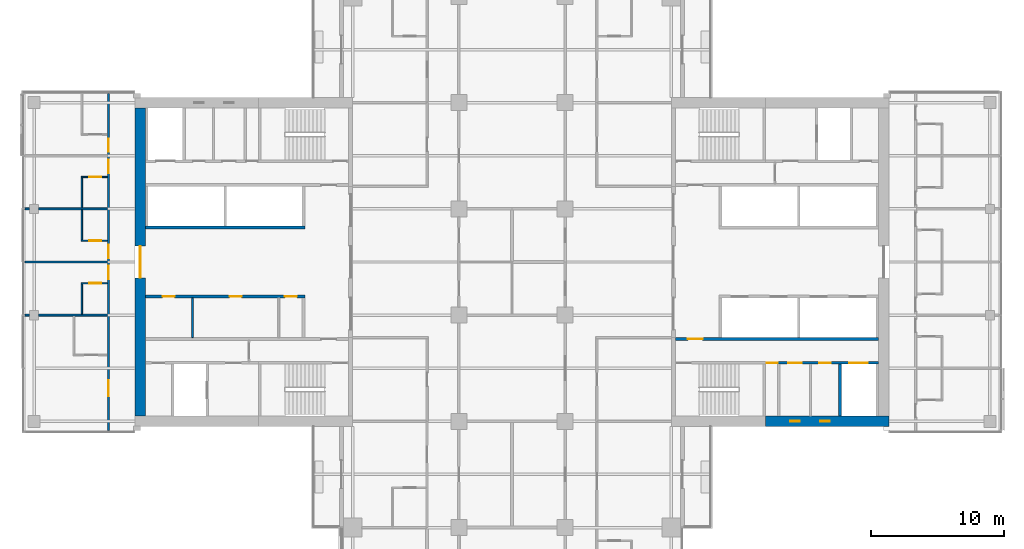
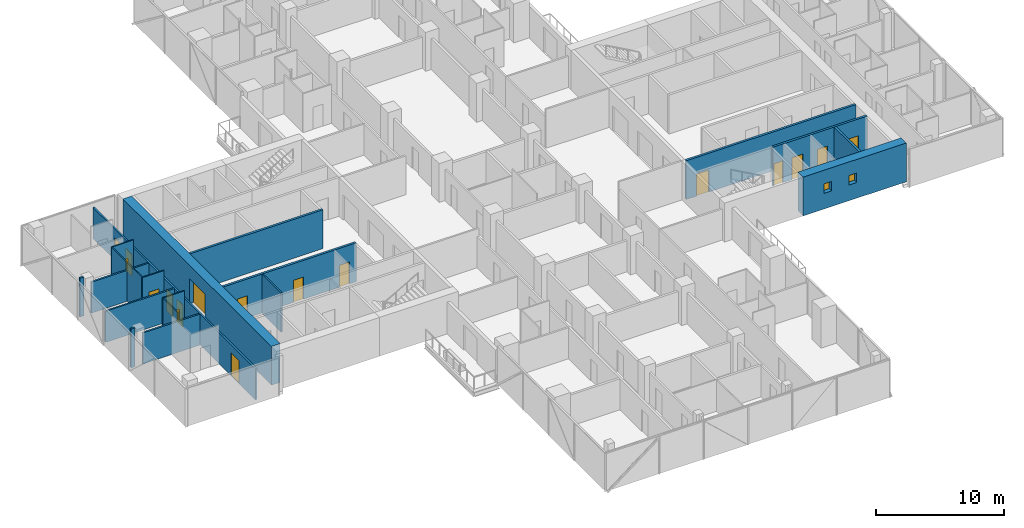
# One storey, part 17 of 27: 20 walls, 17 doors, 2 windows, 19 openings.
"""IFC4 building model written with IfcOpenShell, lengths in metres."""

from ifc_helpers import new_model, si_unit, direction, frame, frame_2d, origin, place, context, subcontext, project, spatial, rectangle, extrude, material, layer, layer_set, constituent, constituent_set, type_object, element, fill, save


model = new_model("IFC4")

# Units and contexts
model_context = context("Model", 3, precision=1e-05, world=origin(), true_north=direction((0.0, 1.0)))
body_context = subcontext(model_context, "Body", "Model", "MODEL_VIEW")
ifc_project = project(units=[si_unit("LENGTHUNIT", "METRE"), si_unit("AREAUNIT", "SQUARE_METRE"), si_unit("VOLUMEUNIT", "CUBIC_METRE"), si_unit("PLANEANGLEUNIT", "RADIAN"), si_unit("MASSUNIT", "GRAM", prefix="KILO")], contexts=[model_context])

# Site, building, storey
site_placement = place(None, origin())
site = spatial("IfcSite", under=ifc_project, at=site_placement, CompositionType="ELEMENT")
building_placement = place(site_placement, origin())
building = spatial("IfcBuilding", under=site, at=building_placement, Name="Crosswind Convention Tower", CompositionType="ELEMENT")
storey_placement = place(building_placement, frame((0.0, 0.0, 94.199951171875)))
storey = spatial("IfcBuildingStorey", under=building, at=storey_placement, Name="L18", CompositionType="ELEMENT", Elevation=94.199951171875)

# Wall, opening, door
ifc_material_1 = material(Name="Concrete C60/75", Category="concrete")
ifc_layer_1 = layer(ifc_material_1, 0.800048828125)
ifc_layer_set_1 = layer_set([ifc_layer_1], Name="Concrete C60/75")
wall_type_1 = type_object("IfcWallType", Name="Concrete core wall 800", PredefinedType="SHEAR", material=ifc_layer_set_1)
wall_1_placement = place(storey_placement, frame((97.0, 111.60009765625, 0.0), z_axis=(0.0, 0.0, 1.0), x_axis=(0.0, -1.0, 0.0)))
wall_1 = element("IfcWall", 1, at=wall_1_placement, inside=storey, type_object=wall_type_1, Name="Wall O W L18", PredefinedType="SHEAR", context=body_context, shape_type="SweptSolid", body=[
    extrude(rectangle(XDim=23.2001953125, YDim=0.800048828125, at=frame_2d((11.60009765625, 0.0))), origin(), (0.0, 0.0, 1.0), 3.699951171875),
])
opening_1_placement = place(wall_1_placement, frame((10.39990234375, 0.0, 0.0)))
opening_1 = element("IfcOpeningElement", 2, at=opening_1_placement, cuts=wall_1, Name="Opening D100", PredefinedType="OPENING", context=body_context, shape_type="SweptSolid", body=[
    extrude(rectangle(XDim=2.39990234375, YDim=2.39990234375, at=frame_2d((1.199951171875, 1.199951171875))), frame((0.0, 0.409912109375, 0.0), z_axis=(0.0, -1.0, 0.0), x_axis=(1.0, 0.0, 0.0)), (0.0, 0.0, 1.0), 0.820068359375),
])
ifc_material_2 = material(Name="Steel fire door with glazed vision panels", Category="steel")
door_type_1 = type_object("IfcDoorType", Name="Fire-rated double door 2400x2400", OperationType="DOUBLE_DOOR_SINGLE_SWING", PredefinedType="DOOR", material=ifc_material_2)
door_1_placement = place(opening_1_placement, origin())
door_1 = element("IfcDoor", 3, at=door_1_placement, inside=storey, type_object=door_type_1, Name="Lobby outer door L18", ObjectType="D100", OperationType="DOUBLE_DOOR_SINGLE_SWING", OverallHeight=2.39990234375, OverallWidth=2.39990234375, PredefinedType="DOOR", context=body_context, shape_type="SweptSolid", body=[
    extrude(rectangle(XDim=2.39990234375, YDim=2.39990234375, at=frame_2d((1.199951171875, 1.199951171875))), frame((0.0, 0.02490234375, 0.0), z_axis=(0.0, -1.0, 0.0), x_axis=(1.0, 0.0, 0.0)), (0.0, 0.0, 1.0), 0.050048828125),
])
fill(opening_1, door_1)

ifc_material_3 = material(Name="Concrete C50/60", Category="concrete")
ifc_layer_2 = layer(ifc_material_3, 0.199951171875)
ifc_layer_set_2 = layer_set([ifc_layer_2], Name="Concrete C50/60")
wall_type_2 = type_object("IfcWallType", Name="Concrete shaft and stair wall 200", PredefinedType="SHEAR", material=ifc_layer_set_2)
wall_2_placement = place(storey_placement, frame((137.300048828125, 94.199951171875, 0.0), z_axis=(0.0, 0.0, 1.0), x_axis=(1.0, 0.0, 0.0)))
wall_2 = element("IfcWall", 4, at=wall_2_placement, inside=storey, type_object=wall_type_2, Name="Wall HM E L18", PredefinedType="SHEAR", context=body_context, shape_type="SweptSolid", body=[
    extrude(rectangle(XDim=15.300048828125, YDim=0.199951171875, at=frame_2d((7.64990234375, 0.0))), origin(), (0.0, 0.0, 1.0), 3.699951171875),
])
opening_2_placement = place(wall_2_placement, frame((0.949951171875, 0.0, 0.0)))
opening_2 = element("IfcOpeningElement", 5, at=opening_2_placement, cuts=wall_2, Name="Opening D104", PredefinedType="OPENING", context=body_context, shape_type="SweptSolid", body=[
    extrude(rectangle(XDim=1.10009765625, YDim=2.10009765625, at=frame_2d((0.550048828125, 1.050048828125))), frame((0.0, 0.10986328125, 0.0), z_axis=(0.0, -1.0, 0.0), x_axis=(1.0, 0.0, 0.0)), (0.0, 0.0, 1.0), 0.219970703125),
])
ifc_material_4 = material(Name="Steel fire door", Category="steel")
door_type_2 = type_object("IfcDoorType", Name="Fire-rated single door 1100x2100", OperationType="NOTDEFINED", PredefinedType="DOOR", material=ifc_material_4)
door_2_placement = place(opening_2_placement, origin())
door_2 = element("IfcDoor", 6, at=door_2_placement, inside=storey, type_object=door_type_2, Name="Corridor door L18", ObjectType="D104", OperationType="SINGLE_SWING_LEFT", OverallHeight=2.10009765625, OverallWidth=1.10009765625, PredefinedType="DOOR", context=body_context, shape_type="SweptSolid", body=[
    extrude(rectangle(XDim=1.10009765625, YDim=2.10009765625, at=frame_2d((0.550048828125, 1.050048828125))), frame((0.0, 0.02490234375, 0.0), z_axis=(0.0, -1.0, 0.0), x_axis=(1.0, 0.0, 0.0)), (0.0, 0.0, 1.0), 0.050048828125),
])
fill(opening_2, door_2)

# Wall
wall_3_placement = place(storey_placement, frame((149.699951171875, 88.39990234375, 0.0), z_axis=(0.0, 0.0, 1.0), x_axis=(0.0, 1.0, 0.0)))
element("IfcWall", 7, at=wall_3_placement, inside=storey, type_object=wall_type_2, Name="Wall MFSW E L18", PredefinedType="SHEAR", context=body_context, shape_type="SweptSolid", body=[
    extrude(rectangle(XDim=3.900146484375, YDim=0.199951171875, at=frame_2d((1.9501953125, 0.0))), origin(), (0.0, 0.0, 1.0), 3.699951171875),
])

# Wall, openings, doors
wall_4_placement = place(storey_placement, frame((144.10009765625, 92.39990234375, 0.0), z_axis=(0.0, 0.0, 1.0), x_axis=(1.0, 0.0, 0.0)))
wall_4 = element("IfcWall", 8, at=wall_4_placement, inside=storey, type_object=wall_type_2, Name="Wall MCX E L18", PredefinedType="SHEAR", context=body_context, shape_type="SweptSolid", body=[
    extrude(rectangle(XDim=8.5, YDim=0.199951171875, at=frame_2d((4.25, 0.0))), origin(), (0.0, 0.0, 1.0), 3.699951171875),
])
opening_3_placement = place(wall_4_placement, frame((0.10009765625, 0.0, 0.0)))
opening_3 = element("IfcOpeningElement", 9, at=opening_3_placement, cuts=wall_4, Name="Opening D105", PredefinedType="OPENING", context=body_context, shape_type="SweptSolid", body=[
    extrude(rectangle(XDim=0.800048828125, YDim=2.10009765625, at=frame_2d((0.39990234375, 1.050048828125))), frame((0.0, 0.10986328125, 0.0), z_axis=(0.0, -1.0, 0.0), x_axis=(1.0, 0.0, 0.0)), (0.0, 0.0, 1.0), 0.219970703125),
])
opening_4_placement = place(wall_4_placement, frame((1.712646484375, 0.0, 0.0)))
opening_4 = element("IfcOpeningElement", 10, at=opening_4_placement, cuts=wall_4, Name="Opening D103", PredefinedType="OPENING", context=body_context, shape_type="SweptSolid", body=[
    extrude(rectangle(XDim=1.0, YDim=2.10009765625, at=frame_2d((0.5, 1.050048828125))), frame((0.0, 0.10986328125, 0.0), z_axis=(0.0, -1.0, 0.0), x_axis=(1.0, 0.0, 0.0)), (0.0, 0.0, 1.0), 0.219970703125),
])
opening_5_placement = place(wall_4_placement, frame((4.025146484375, 0.0, 0.0)))
opening_5 = element("IfcOpeningElement", 11, at=opening_5_placement, cuts=wall_4, Name="Opening D106", PredefinedType="OPENING", context=body_context, shape_type="SweptSolid", body=[
    extrude(rectangle(XDim=0.89990234375, YDim=2.10009765625, at=frame_2d((0.449951171875, 1.050048828125))), frame((0.0, 0.10986328125, 0.0), z_axis=(0.0, -1.0, 0.0), x_axis=(1.0, 0.0, 0.0)), (0.0, 0.0, 1.0), 0.219970703125),
])
opening_6_placement = place(wall_4_placement, frame((6.300048828125, 0.0, 0.0)))
opening_6 = element("IfcOpeningElement", 12, at=opening_6_placement, cuts=wall_4, Name="Opening LD2", PredefinedType="OPENING", context=body_context, shape_type="SweptSolid", body=[
    extrude(rectangle(XDim=1.39990234375, YDim=2.10009765625, at=frame_2d((0.699951171875, 1.050048828125))), frame((0.0, 0.10986328125, 0.0), z_axis=(0.0, -1.0, 0.0), x_axis=(1.0, 0.0, 0.0)), (0.0, 0.0, 1.0), 0.219970703125),
])
door_type_3 = type_object("IfcDoorType", Name="Fire-rated single door 1000x2100", OperationType="NOTDEFINED", PredefinedType="DOOR", material=ifc_material_4)
door_3_placement = place(opening_4_placement, frame((1.0, 0.0, 0.0), z_axis=(0.0, 0.0, 1.0), x_axis=(-1.0, 0.0, 0.0)))
door_3 = element("IfcDoor", 13, at=door_3_placement, inside=storey, type_object=door_type_3, Name="Door to accessible wc L18", ObjectType="D103", OperationType="SINGLE_SWING_LEFT", OverallHeight=2.10009765625, OverallWidth=1.0, PredefinedType="DOOR", context=body_context, shape_type="SweptSolid", body=[
    extrude(rectangle(XDim=1.0, YDim=2.10009765625, at=frame_2d((0.5, 1.050048828125))), frame((0.0, 0.02490234375, 0.0), z_axis=(0.0, -1.0, 0.0), x_axis=(1.0, 0.0, 0.0)), (0.0, 0.0, 1.0), 0.050048828125),
])
fill(opening_4, door_3)
ifc_material_5 = material(Name="Stainless steel", Category="steel")
door_type_4 = type_object("IfcDoorType", Name="Lift landing door 1400x2100", OperationType="DOUBLE_DOOR_SLIDING", PredefinedType="DOOR", material=ifc_material_5)
door_4_placement = place(opening_6_placement, origin())
door_4 = element("IfcDoor", 14, at=door_4_placement, inside=storey, type_object=door_type_4, Name="Landing door SV1 L18", ObjectType="LD2", OperationType="DOUBLE_DOOR_SLIDING", OverallHeight=2.10009765625, OverallWidth=1.39990234375, PredefinedType="DOOR", context=body_context, shape_type="SweptSolid", body=[
    extrude(rectangle(XDim=1.39990234375, YDim=2.10009765625, at=frame_2d((0.699951171875, 1.050048828125))), frame((0.0, 0.02490234375, 0.0), z_axis=(0.0, -1.0, 0.0), x_axis=(1.0, 0.0, 0.0)), (0.0, 0.0, 1.0), 0.050048828125),
])
fill(opening_6, door_4)
door_type_5 = type_object("IfcDoorType", Name="Riser access door 800x2100", OperationType="NOTDEFINED", PredefinedType="DOOR", material=ifc_material_4)
door_5_placement = place(opening_3_placement, frame((0.800048828125, 0.0, 0.0), z_axis=(0.0, 0.0, 1.0), x_axis=(-1.0, 0.0, 0.0)))
door_5 = element("IfcDoor", 15, at=door_5_placement, inside=storey, type_object=door_type_5, Name="Riser door L18", ObjectType="D105", OperationType="SINGLE_SWING_LEFT", OverallHeight=2.10009765625, OverallWidth=0.800048828125, PredefinedType="DOOR", context=body_context, shape_type="SweptSolid", body=[
    extrude(rectangle(XDim=0.800048828125, YDim=2.10009765625, at=frame_2d((0.39990234375, 1.050048828125))), frame((0.0, 0.02490234375, 0.0), z_axis=(0.0, -1.0, 0.0), x_axis=(1.0, 0.0, 0.0)), (0.0, 0.0, 1.0), 0.050048828125),
])
fill(opening_3, door_5)
ifc_material_6 = material(Name="Timber door", Category="wood")
door_type_6 = type_object("IfcDoorType", Name="Single leaf door 900x2100", OperationType="NOTDEFINED", PredefinedType="DOOR", material=ifc_material_6)
door_6_placement = place(opening_5_placement, frame((0.89990234375, 0.0, 0.0), z_axis=(0.0, 0.0, 1.0), x_axis=(-1.0, 0.0, 0.0)))
door_6 = element("IfcDoor", 16, at=door_6_placement, inside=storey, type_object=door_type_6, Name="Door to wc L18", ObjectType="D106", OperationType="SINGLE_SWING_LEFT", OverallHeight=2.10009765625, OverallWidth=0.89990234375, PredefinedType="DOOR", context=body_context, shape_type="SweptSolid", body=[
    extrude(rectangle(XDim=0.89990234375, YDim=2.10009765625, at=frame_2d((0.449951171875, 1.050048828125))), frame((0.0, 0.02490234375, 0.0), z_axis=(0.0, -1.0, 0.0), x_axis=(1.0, 0.0, 0.0)), (0.0, 0.0, 1.0), 0.050048828125),
])
fill(opening_5, door_6)

wall_5_placement = place(storey_placement, frame((109.39990234375, 97.39990234375, 0.0), z_axis=(0.0, 0.0, 1.0), x_axis=(-1.0, 0.0, 0.0)))
wall_5 = element("IfcWall", 17, at=wall_5_placement, inside=storey, type_object=wall_type_2, Name="Wall RPFRONT W L18", PredefinedType="SHEAR", context=body_context, shape_type="SweptSolid", body=[
    extrude(rectangle(XDim=12.0, YDim=0.199951171875, at=frame_2d((6.0, 0.0))), origin(), (0.0, 0.0, 1.0), 3.699951171875),
])
opening_7_placement = place(wall_5_placement, frame((0.603759765625, 0.0, 0.0)))
opening_7 = element("IfcOpeningElement", 18, at=opening_7_placement, cuts=wall_5, Name="Opening D106", PredefinedType="OPENING", context=body_context, shape_type="SweptSolid", body=[
    extrude(rectangle(XDim=0.89990234375, YDim=2.10009765625, at=frame_2d((0.449951171875, 1.050048828125))), frame((0.0, 0.10986328125, 0.0), z_axis=(0.0, -1.0, 0.0), x_axis=(1.0, 0.0, 0.0)), (0.0, 0.0, 1.0), 0.219970703125),
])
opening_8_placement = place(wall_5_placement, frame((4.764892578125, 0.0, 0.0)))
opening_8 = element("IfcOpeningElement", 19, at=opening_8_placement, cuts=wall_5, Name="Opening D106", PredefinedType="OPENING", context=body_context, shape_type="SweptSolid", body=[
    extrude(rectangle(XDim=0.89990234375, YDim=2.10009765625, at=frame_2d((0.449951171875, 1.050048828125))), frame((0.0, 0.10986328125, 0.0), z_axis=(0.0, -1.0, 0.0), x_axis=(1.0, 0.0, 0.0)), (0.0, 0.0, 1.0), 0.219970703125),
])
opening_9_placement = place(wall_5_placement, frame((9.811279296875, 0.0, 0.0)))
opening_9 = element("IfcOpeningElement", 20, at=opening_9_placement, cuts=wall_5, Name="Opening D106", PredefinedType="OPENING", context=body_context, shape_type="SweptSolid", body=[
    extrude(rectangle(XDim=0.89990234375, YDim=2.10009765625, at=frame_2d((0.449951171875, 1.050048828125))), frame((0.0, 0.10986328125, 0.0), z_axis=(0.0, -1.0, 0.0), x_axis=(1.0, 0.0, 0.0)), (0.0, 0.0, 1.0), 0.219970703125),
])
door_7_placement = place(opening_7_placement, origin())
door_7 = element("IfcDoor", 21, at=door_7_placement, inside=storey, type_object=door_type_6, Name="Door to ice and vending room L18", ObjectType="D106", OperationType="SINGLE_SWING_RIGHT", OverallHeight=2.10009765625, OverallWidth=0.89990234375, PredefinedType="DOOR", context=body_context, shape_type="SweptSolid", body=[
    extrude(rectangle(XDim=0.89990234375, YDim=2.10009765625, at=frame_2d((0.449951171875, 1.050048828125))), frame((0.0, 0.02490234375, 0.0), z_axis=(0.0, -1.0, 0.0), x_axis=(1.0, 0.0, 0.0)), (0.0, 0.0, 1.0), 0.050048828125),
])
fill(opening_7, door_7)
door_8_placement = place(opening_8_placement, origin())
door_8 = element("IfcDoor", 22, at=door_8_placement, inside=storey, type_object=door_type_6, Name="Door to storeroom L18", ObjectType="D106", OperationType="SINGLE_SWING_RIGHT", OverallHeight=2.10009765625, OverallWidth=0.89990234375, PredefinedType="DOOR", context=body_context, shape_type="SweptSolid", body=[
    extrude(rectangle(XDim=0.89990234375, YDim=2.10009765625, at=frame_2d((0.449951171875, 1.050048828125))), frame((0.0, 0.02490234375, 0.0), z_axis=(0.0, -1.0, 0.0), x_axis=(1.0, 0.0, 0.0)), (0.0, 0.0, 1.0), 0.050048828125),
])
fill(opening_8, door_8)
door_9_placement = place(opening_9_placement, origin())
door_9 = element("IfcDoor", 23, at=door_9_placement, inside=storey, type_object=door_type_6, Name="Door to housekeeping store L18", ObjectType="D106", OperationType="SINGLE_SWING_RIGHT", OverallHeight=2.10009765625, OverallWidth=0.89990234375, PredefinedType="DOOR", context=body_context, shape_type="SweptSolid", body=[
    extrude(rectangle(XDim=0.89990234375, YDim=2.10009765625, at=frame_2d((0.449951171875, 1.050048828125))), frame((0.0, 0.02490234375, 0.0), z_axis=(0.0, -1.0, 0.0), x_axis=(1.0, 0.0, 0.0)), (0.0, 0.0, 1.0), 0.050048828125),
])
fill(opening_9, door_9)

# Walls
wall_6_placement = place(storey_placement, frame((109.39990234375, 102.60009765625, 0.0), z_axis=(0.0, 0.0, 1.0), x_axis=(-1.0, 0.0, 0.0)))
element("IfcWall", 24, at=wall_6_placement, inside=storey, type_object=wall_type_2, Name="Wall RMFRONT W L18", PredefinedType="SHEAR", context=body_context, shape_type="SweptSolid", body=[
    extrude(rectangle(XDim=12.0, YDim=0.199951171875, at=frame_2d((6.0, 0.0))), origin(), (0.0, 0.0, 1.0), 3.699951171875),
])
ifc_material_7 = material(Name="Gypsum plasterboard partition", Category="gypsum")
ifc_layer_3 = layer(ifc_material_7, 0.125)
ifc_layer_set_3 = layer_set([ifc_layer_3], Name="Drywall partition wall 125")
wall_type_3 = type_object("IfcWallType", Name="Drywall partition wall 125", PredefinedType="PARTITIONING", material=ifc_layer_set_3)
wall_7_placement = place(storey_placement, frame((100.93994140625, 97.300048828125, 0.0), z_axis=(0.0, 0.0, 1.0), x_axis=(0.0, -1.0, 0.0)))
element("IfcWall", 25, at=wall_7_placement, inside=storey, type_object=wall_type_3, Name="Wall RPP2 W L18", PredefinedType="PARTITIONING", context=body_context, shape_type="SweptSolid", body=[
    extrude(rectangle(XDim=3.0, YDim=0.125, at=frame_2d((1.5, 0.0))), origin(), (0.0, 0.0, 1.0), 3.699951171875),
])
ifc_material_8 = material(Name="Acoustic plasterboard partition", Category="gypsum")
ifc_layer_4 = layer(ifc_material_8, 0.14990234375)
ifc_layer_set_4 = layer_set([ifc_layer_4], Name="GUEST ROOM WALL 150")
wall_type_4 = type_object("IfcWallType", Name="GUEST ROOM WALL 150", PredefinedType="PARTITIONING", material=ifc_layer_set_4)
wall_8_placement = place(storey_placement, frame((88.300048828125, 96.0, 0.0), z_axis=(0.0, 0.0, 1.0), x_axis=(1.0, 0.0, 0.0)))
element("IfcWall", 26, at=wall_8_placement, inside=storey, type_object=wall_type_4, Name="Guest Room Wall 21", PredefinedType="PARTITIONING", context=body_context, shape_type="SweptSolid", body=[
    extrude(rectangle(XDim=0.349853515625, YDim=0.14990234375, at=frame_2d((0.1748046875, 0.0))), origin(), (0.0, 0.0, 1.0), 3.699951171875),
])
wall_9_placement = place(storey_placement, frame((89.35009765625, 96.0, 0.0), z_axis=(0.0, 0.0, 1.0), x_axis=(1.0, 0.0, 0.0)))
element("IfcWall", 27, at=wall_9_placement, inside=storey, type_object=wall_type_4, Name="Guest Room Wall 22", PredefinedType="PARTITIONING", context=body_context, shape_type="SweptSolid", body=[
    extrude(rectangle(XDim=5.1748046875, YDim=0.14990234375, at=frame_2d((2.58740234375, 0.0))), origin(), (0.0, 0.0, 1.0), 2.95654296875),
])
wall_10_placement = place(storey_placement, frame((88.300048828125, 100.0, 0.0), z_axis=(0.0, 0.0, 1.0), x_axis=(1.0, 0.0, 0.0)))
element("IfcWall", 28, at=wall_10_placement, inside=storey, type_object=wall_type_4, Name="Guest Room Wall 28", PredefinedType="PARTITIONING", context=body_context, shape_type="SweptSolid", body=[
    extrude(rectangle(XDim=6.224853515625, YDim=0.14990234375, at=frame_2d((3.1123046875, 0.0))), origin(), (0.0, 0.0, 1.0), 2.962890625),
])
wall_11_placement = place(storey_placement, frame((88.300048828125, 104.0, 0.0), z_axis=(0.0, 0.0, 1.0), x_axis=(1.0, 0.0, 0.0)))
element("IfcWall", 29, at=wall_11_placement, inside=storey, type_object=wall_type_4, Name="Guest Room Wall 34", PredefinedType="PARTITIONING", context=body_context, shape_type="SweptSolid", body=[
    extrude(rectangle(XDim=0.349853515625, YDim=0.14990234375, at=frame_2d((0.1748046875, 0.0))), origin(), (0.0, 0.0, 1.0), 3.699951171875),
])
wall_12_placement = place(storey_placement, frame((89.35009765625, 104.0, 0.0), z_axis=(0.0, 0.0, 1.0), x_axis=(1.0, 0.0, 0.0)))
element("IfcWall", 30, at=wall_12_placement, inside=storey, type_object=wall_type_4, Name="Guest Room Wall 35", PredefinedType="PARTITIONING", context=body_context, shape_type="SweptSolid", body=[
    extrude(rectangle(XDim=5.1748046875, YDim=0.14990234375, at=frame_2d((2.58740234375, 0.0))), origin(), (0.0, 0.0, 1.0), 2.95654296875),
])

# Wall, openings, doors
wall_13_placement = place(storey_placement, frame((94.60009765625, 87.300048828125, 0.0), z_axis=(0.0, 0.0, 1.0), x_axis=(0.0, 1.0, 0.0)))
wall_13 = element("IfcWall", 31, at=wall_13_placement, inside=storey, type_object=wall_type_4, Name="Guest Room Wall 71", PredefinedType="PARTITIONING", context=body_context, shape_type="SweptSolid", body=[
    extrude(rectangle(XDim=25.39990234375, YDim=0.14990234375, at=frame_2d((12.699951171875, 0.0))), origin(), (0.0, 0.0, 1.0), 2.95654296875),
])
opening_10_placement = place(wall_13_placement, frame((2.60009765625, 0.0, 0.0)))
opening_10 = element("IfcOpeningElement", 32, at=opening_10_placement, cuts=wall_13, Name="Opening 18.040", PredefinedType="OPENING", context=body_context, shape_type="SweptSolid", body=[
    extrude(rectangle(XDim=1.199951171875, YDim=2.199951171875, at=frame_2d((0.60009765625, 1.10009765625))), frame((0.0, 0.0849609375, 0.0), z_axis=(0.0, -1.0, 0.0), x_axis=(1.0, 0.0, 0.0)), (0.0, 0.0, 1.0), 0.169921875),
])
opening_11_placement = place(wall_13_placement, frame((11.39990234375, 0.0, 0.0)))
opening_11 = element("IfcOpeningElement", 33, at=opening_11_placement, cuts=wall_13, Name="Opening 18.042", PredefinedType="OPENING", context=body_context, shape_type="SweptSolid", body=[
    extrude(rectangle(XDim=1.0, YDim=2.10009765625, at=frame_2d((0.5, 1.050048828125))), frame((0.0, 0.0849609375, 0.0), z_axis=(0.0, -1.0, 0.0), x_axis=(1.0, 0.0, 0.0)), (0.0, 0.0, 1.0), 0.169921875),
])
opening_12_placement = place(wall_13_placement, frame((13.0, 0.0, 0.0)))
opening_12 = element("IfcOpeningElement", 34, at=opening_12_placement, cuts=wall_13, Name="Opening 18.044", PredefinedType="OPENING", context=body_context, shape_type="SweptSolid", body=[
    extrude(rectangle(XDim=1.0, YDim=2.10009765625, at=frame_2d((0.5, 1.050048828125))), frame((0.0, 0.0849609375, 0.0), z_axis=(0.0, -1.0, 0.0), x_axis=(1.0, 0.0, 0.0)), (0.0, 0.0, 1.0), 0.169921875),
])
opening_13_placement = place(wall_13_placement, frame((19.39990234375, 0.0, 0.0)))
opening_13 = element("IfcOpeningElement", 35, at=opening_13_placement, cuts=wall_13, Name="Opening 18.046", PredefinedType="OPENING", context=body_context, shape_type="SweptSolid", body=[
    extrude(rectangle(XDim=1.0, YDim=2.10009765625, at=frame_2d((0.5, 1.050048828125))), frame((0.0, 0.0849609375, 0.0), z_axis=(0.0, -1.0, 0.0), x_axis=(1.0, 0.0, 0.0)), (0.0, 0.0, 1.0), 0.169921875),
])
opening_14_placement = place(wall_13_placement, frame((21.0, 0.0, 0.0)))
opening_14 = element("IfcOpeningElement", 36, at=opening_14_placement, cuts=wall_13, Name="Opening 18.048", PredefinedType="OPENING", context=body_context, shape_type="SweptSolid", body=[
    extrude(rectangle(XDim=1.0, YDim=2.10009765625, at=frame_2d((0.5, 1.050048828125))), frame((0.0, 0.0849609375, 0.0), z_axis=(0.0, -1.0, 0.0), x_axis=(1.0, 0.0, 0.0)), (0.0, 0.0, 1.0), 0.169921875),
])
ifc_material_9 = material(Name="Timber fire door", Category="wood")
door_type_7 = type_object("IfcDoorType", Name="GUEST ROOM DOOR 1000X2100", OperationType="NOTDEFINED", PredefinedType="DOOR", material=ifc_material_9)
door_10_placement = place(opening_11_placement, origin())
door_10 = element("IfcDoor", 37, at=door_10_placement, inside=storey, type_object=door_type_7, Name="Door 18.042", ObjectType="D1", OperationType="SINGLE_SWING_RIGHT", OverallHeight=2.10009765625, OverallWidth=1.0, PredefinedType="DOOR", context=body_context, shape_type="SweptSolid", body=[
    extrude(rectangle(XDim=1.0, YDim=2.10009765625, at=frame_2d((0.5, 1.050048828125))), frame((0.0, 0.02490234375, 0.0), z_axis=(0.0, -1.0, 0.0), x_axis=(1.0, 0.0, 0.0)), (0.0, 0.0, 1.0), 0.050048828125),
])
fill(opening_11, door_10)
door_11_placement = place(opening_12_placement, origin())
door_11 = element("IfcDoor", 38, at=door_11_placement, inside=storey, type_object=door_type_7, Name="Door 18.044", ObjectType="D1", OperationType="SINGLE_SWING_RIGHT", OverallHeight=2.10009765625, OverallWidth=1.0, PredefinedType="DOOR", context=body_context, shape_type="SweptSolid", body=[
    extrude(rectangle(XDim=1.0, YDim=2.10009765625, at=frame_2d((0.5, 1.050048828125))), frame((0.0, 0.02490234375, 0.0), z_axis=(0.0, -1.0, 0.0), x_axis=(1.0, 0.0, 0.0)), (0.0, 0.0, 1.0), 0.050048828125),
])
fill(opening_12, door_11)
door_12_placement = place(opening_13_placement, origin())
door_12 = element("IfcDoor", 39, at=door_12_placement, inside=storey, type_object=door_type_7, Name="Door 18.046", ObjectType="D1", OperationType="SINGLE_SWING_RIGHT", OverallHeight=2.10009765625, OverallWidth=1.0, PredefinedType="DOOR", context=body_context, shape_type="SweptSolid", body=[
    extrude(rectangle(XDim=1.0, YDim=2.10009765625, at=frame_2d((0.5, 1.050048828125))), frame((0.0, 0.02490234375, 0.0), z_axis=(0.0, -1.0, 0.0), x_axis=(1.0, 0.0, 0.0)), (0.0, 0.0, 1.0), 0.050048828125),
])
fill(opening_13, door_12)
door_13_placement = place(opening_14_placement, origin())
door_13 = element("IfcDoor", 40, at=door_13_placement, inside=storey, type_object=door_type_7, Name="Door 18.048", ObjectType="D1", OperationType="SINGLE_SWING_RIGHT", OverallHeight=2.10009765625, OverallWidth=1.0, PredefinedType="DOOR", context=body_context, shape_type="SweptSolid", body=[
    extrude(rectangle(XDim=1.0, YDim=2.10009765625, at=frame_2d((0.5, 1.050048828125))), frame((0.0, 0.02490234375, 0.0), z_axis=(0.0, -1.0, 0.0), x_axis=(1.0, 0.0, 0.0)), (0.0, 0.0, 1.0), 0.050048828125),
])
fill(opening_14, door_13)
door_type_8 = type_object("IfcDoorType", Name="SUITE DOOR 1200X2200", OperationType="DOUBLE_DOOR_SINGLE_SWING", PredefinedType="DOOR", material=ifc_material_9)
door_14_placement = place(opening_10_placement, origin())
door_14 = element("IfcDoor", 41, at=door_14_placement, inside=storey, type_object=door_type_8, Name="Door 18.040", ObjectType="D14", OperationType="DOUBLE_DOOR_SINGLE_SWING", OverallHeight=2.199951171875, OverallWidth=1.199951171875, PredefinedType="DOOR", context=body_context, shape_type="SweptSolid", body=[
    extrude(rectangle(XDim=1.199951171875, YDim=2.199951171875, at=frame_2d((0.60009765625, 1.10009765625))), frame((0.0, 0.02490234375, 0.0), z_axis=(0.0, -1.0, 0.0), x_axis=(1.0, 0.0, 0.0)), (0.0, 0.0, 1.0), 0.050048828125),
])
fill(opening_10, door_14)

# Wall, openings, windows
ifc_constituent_1 = constituent(ifc_material_1, Name="Structure")
ifc_material_10 = material(Name="Terracotta rainscreen", Category="ceramic")
ifc_constituent_2 = constituent(ifc_material_10, Name="Facing")
ifc_constituent_set = constituent_set(constituents=[ifc_constituent_1, ifc_constituent_2], Name="Concrete C60/75, Terracotta rainscreen")
wall_type_5 = type_object("IfcWallType", Name="Terracotta rainscreen on concrete core wall 800", PredefinedType="SHEAR", material=ifc_constituent_set)
wall_14_placement = place(storey_placement, frame((144.10009765625, 88.0, 0.0), z_axis=(0.0, 0.0, 1.0), x_axis=(1.0, 0.0, 0.0)))
wall_14 = element("IfcWall", 42, at=wall_14_placement, inside=storey, type_object=wall_type_5, Name="Wall S2 E L18", PredefinedType="SHEAR", context=body_context, shape_type="SweptSolid", body=[
    extrude(rectangle(XDim=9.2998046875, YDim=0.800048828125, at=frame_2d((4.64990234375, 0.0))), origin(), (0.0, 0.0, 1.0), 3.699951171875),
])
opening_15_placement = place(wall_14_placement, frame((1.86279296875, 0.0, 1.5)))
opening_15 = element("IfcOpeningElement", 43, at=opening_15_placement, cuts=wall_14, Name="Opening W2", PredefinedType="OPENING", context=body_context, shape_type="SweptSolid", body=[
    extrude(rectangle(XDim=0.699951171875, YDim=0.89990234375, at=frame_2d((0.35009765625, 0.449951171875))), frame((0.0, 0.409912109375, 0.0), z_axis=(0.0, -1.0, 0.0), x_axis=(1.0, 0.0, 0.0)), (0.0, 0.0, 1.0), 0.820068359375),
])
opening_16_placement = place(wall_14_placement, frame((4.125244140625, 0.0, 1.5)))
opening_16 = element("IfcOpeningElement", 44, at=opening_16_placement, cuts=wall_14, Name="Opening W2", PredefinedType="OPENING", context=body_context, shape_type="SweptSolid", body=[
    extrude(rectangle(XDim=0.699951171875, YDim=0.89990234375, at=frame_2d((0.35009765625, 0.449951171875))), frame((0.0, 0.409912109375, 0.0), z_axis=(0.0, -1.0, 0.0), x_axis=(1.0, 0.0, 0.0)), (0.0, 0.0, 1.0), 0.820068359375),
])
ifc_material_11 = material(Name="Obscure glass in aluminium frame", Category="aluminium")
window_type = type_object("IfcWindowType", Name="WC window 700x900", PartitioningType="SINGLE_PANEL", PredefinedType="WINDOW", material=ifc_material_11)
window_1_placement = place(opening_15_placement, origin())
window_1 = element("IfcWindow", 45, at=window_1_placement, inside=storey, type_object=window_type, Name="WC window L18", ObjectType="W2", OverallHeight=0.89990234375, OverallWidth=0.699951171875, PartitioningType="SINGLE_PANEL", PredefinedType="WINDOW", context=body_context, shape_type="SweptSolid", body=[
    extrude(rectangle(XDim=0.699951171875, YDim=0.89990234375, at=frame_2d((0.35009765625, 0.449951171875))), frame((0.0, 0.030029296875, 0.0), z_axis=(0.0, -1.0, 0.0), x_axis=(1.0, 0.0, 0.0)), (0.0, 0.0, 1.0), 0.06005859375),
])
fill(opening_15, window_1)
window_2_placement = place(opening_16_placement, origin())
window_2 = element("IfcWindow", 46, at=window_2_placement, inside=storey, type_object=window_type, Name="WC window L18", ObjectType="W2", OverallHeight=0.89990234375, OverallWidth=0.699951171875, PartitioningType="SINGLE_PANEL", PredefinedType="WINDOW", context=body_context, shape_type="SweptSolid", body=[
    extrude(rectangle(XDim=0.699951171875, YDim=0.89990234375, at=frame_2d((0.35009765625, 0.449951171875))), frame((0.0, 0.030029296875, 0.0), z_axis=(0.0, -1.0, 0.0), x_axis=(1.0, 0.0, 0.0)), (0.0, 0.0, 1.0), 0.06005859375),
])
fill(opening_16, window_2)

# Wall, opening, door
ifc_material_12 = material(Name="Water-resistant plasterboard partition", Category="gypsum")
ifc_layer_5 = layer(ifc_material_12, 0.10009765625)
ifc_layer_set_5 = layer_set([ifc_layer_5], Name="WET ROOM PARTITION 100")
wall_type_6 = type_object("IfcWallType", Name="WET ROOM PARTITION 100", PredefinedType="PLUMBINGWALL", material=ifc_layer_set_5)
wall_15_placement = place(storey_placement, frame((92.550048828125, 98.39990234375, 0.0), z_axis=(0.0, 0.0, 1.0), x_axis=(1.0, 0.0, 0.0)))
wall_15 = element("IfcWall", 47, at=wall_15_placement, inside=storey, type_object=wall_type_6, Name="Wet Room Partition 27", PredefinedType="PLUMBINGWALL", context=body_context, shape_type="SweptSolid", body=[
    extrude(rectangle(XDim=1.974853515625, YDim=0.10009765625, at=frame_2d((0.9873046875, 0.0))), origin(), (0.0, 0.0, 1.0), 3.699951171875),
])
opening_17_placement = place(wall_15_placement, frame((0.60009765625, 0.0, 0.0)))
opening_17 = element("IfcOpeningElement", 48, at=opening_17_placement, cuts=wall_15, Name="Opening 18.043", PredefinedType="OPENING", context=body_context, shape_type="SweptSolid", body=[
    extrude(rectangle(XDim=0.89990234375, YDim=2.10009765625, at=frame_2d((0.449951171875, 1.050048828125))), frame((0.0, 0.06005859375, 0.0), z_axis=(0.0, -1.0, 0.0), x_axis=(1.0, 0.0, 0.0)), (0.0, 0.0, 1.0), 0.1201171875),
])
door_type_9 = type_object("IfcDoorType", Name="EN-SUITE DOOR 900X2100", OperationType="NOTDEFINED", PredefinedType="DOOR", material=ifc_material_6)
door_15_placement = place(opening_17_placement, frame((0.89990234375, 0.0, 0.0), z_axis=(0.0, 0.0, 1.0), x_axis=(-1.0, 0.0, 0.0)))
door_15 = element("IfcDoor", 49, at=door_15_placement, inside=storey, type_object=door_type_9, Name="Door 18.043", ObjectType="D2", OperationType="SINGLE_SWING_LEFT", OverallHeight=2.10009765625, OverallWidth=0.89990234375, PredefinedType="DOOR", context=body_context, shape_type="SweptSolid", body=[
    extrude(rectangle(XDim=0.89990234375, YDim=2.10009765625, at=frame_2d((0.449951171875, 1.050048828125))), frame((0.0, 0.02490234375, 0.0), z_axis=(0.0, -1.0, 0.0), x_axis=(1.0, 0.0, 0.0)), (0.0, 0.0, 1.0), 0.050048828125),
])
fill(opening_17, door_15)

wall_16_placement = place(storey_placement, frame((92.550048828125, 101.60009765625, 0.0), z_axis=(0.0, 0.0, 1.0), x_axis=(1.0, 0.0, 0.0)))
wall_16 = element("IfcWall", 50, at=wall_16_placement, inside=storey, type_object=wall_type_6, Name="Wet Room Partition 32", PredefinedType="PLUMBINGWALL", context=body_context, shape_type="SweptSolid", body=[
    extrude(rectangle(XDim=1.974853515625, YDim=0.10009765625, at=frame_2d((0.9873046875, 0.0))), origin(), (0.0, 0.0, 1.0), 3.699951171875),
])
opening_18_placement = place(wall_16_placement, frame((0.60009765625, 0.0, 0.0)))
opening_18 = element("IfcOpeningElement", 51, at=opening_18_placement, cuts=wall_16, Name="Opening 18.045", PredefinedType="OPENING", context=body_context, shape_type="SweptSolid", body=[
    extrude(rectangle(XDim=0.89990234375, YDim=2.10009765625, at=frame_2d((0.449951171875, 1.050048828125))), frame((0.0, 0.06005859375, 0.0), z_axis=(0.0, -1.0, 0.0), x_axis=(1.0, 0.0, 0.0)), (0.0, 0.0, 1.0), 0.1201171875),
])
door_16_placement = place(opening_18_placement, origin())
door_16 = element("IfcDoor", 52, at=door_16_placement, inside=storey, type_object=door_type_9, Name="Door 18.045", ObjectType="D2", OperationType="SINGLE_SWING_RIGHT", OverallHeight=2.10009765625, OverallWidth=0.89990234375, PredefinedType="DOOR", context=body_context, shape_type="SweptSolid", body=[
    extrude(rectangle(XDim=0.89990234375, YDim=2.10009765625, at=frame_2d((0.449951171875, 1.050048828125))), frame((0.0, 0.02490234375, 0.0), z_axis=(0.0, -1.0, 0.0), x_axis=(1.0, 0.0, 0.0)), (0.0, 0.0, 1.0), 0.050048828125),
])
fill(opening_18, door_16)

wall_17_placement = place(storey_placement, frame((92.550048828125, 106.39990234375, 0.0), z_axis=(0.0, 0.0, 1.0), x_axis=(1.0, 0.0, 0.0)))
wall_17 = element("IfcWall", 53, at=wall_17_placement, inside=storey, type_object=wall_type_6, Name="Wet Room Partition 43", PredefinedType="PLUMBINGWALL", context=body_context, shape_type="SweptSolid", body=[
    extrude(rectangle(XDim=1.974853515625, YDim=0.10009765625, at=frame_2d((0.9873046875, 0.0))), origin(), (0.0, 0.0, 1.0), 3.699951171875),
])
opening_19_placement = place(wall_17_placement, frame((0.60009765625, 0.0, 0.0)))
opening_19 = element("IfcOpeningElement", 54, at=opening_19_placement, cuts=wall_17, Name="Opening 18.047", PredefinedType="OPENING", context=body_context, shape_type="SweptSolid", body=[
    extrude(rectangle(XDim=0.89990234375, YDim=2.10009765625, at=frame_2d((0.449951171875, 1.050048828125))), frame((0.0, 0.06005859375, 0.0), z_axis=(0.0, -1.0, 0.0), x_axis=(1.0, 0.0, 0.0)), (0.0, 0.0, 1.0), 0.1201171875),
])
door_17_placement = place(opening_19_placement, frame((0.89990234375, 0.0, 0.0), z_axis=(0.0, 0.0, 1.0), x_axis=(-1.0, 0.0, 0.0)))
door_17 = element("IfcDoor", 55, at=door_17_placement, inside=storey, type_object=door_type_9, Name="Door 18.047", ObjectType="D2", OperationType="SINGLE_SWING_LEFT", OverallHeight=2.10009765625, OverallWidth=0.89990234375, PredefinedType="DOOR", context=body_context, shape_type="SweptSolid", body=[
    extrude(rectangle(XDim=0.89990234375, YDim=2.10009765625, at=frame_2d((0.449951171875, 1.050048828125))), frame((0.0, 0.02490234375, 0.0), z_axis=(0.0, -1.0, 0.0), x_axis=(1.0, 0.0, 0.0)), (0.0, 0.0, 1.0), 0.050048828125),
])
fill(opening_19, door_17)

# Walls
for number, where, z_axis, x_axis, name in (
    (56, (92.60009765625, 96.074951171875, 0.0), (0.0, 0.0, 1.0), (0.0, 1.0, 0.0), "Wet Room Partition 67"),
    (57, (92.60009765625, 101.64990234375, 0.0), (0.0, 0.0, 1.0), (0.0, 1.0, 0.0), "Wet Room Partition 68"),
    (58, (92.60009765625, 104.074951171875, 0.0), (0.0, 0.0, 1.0), (0.0, 1.0, 0.0), "Wet Room Partition 69"),
):
    element("IfcWall", number, at=place(storey_placement, frame(where, z_axis=z_axis, x_axis=x_axis)), inside=storey, type_object=wall_type_6, Name=name, PredefinedType="PLUMBINGWALL", context=body_context, shape_type="SweptSolid", body=[
        extrude(rectangle(XDim=2.275146484375, YDim=0.10009765625, at=frame_2d((1.1376953125, 0.0))), origin(), (0.0, 0.0, 1.0), 3.699951171875),
    ])

save(model, "model.ifc")
